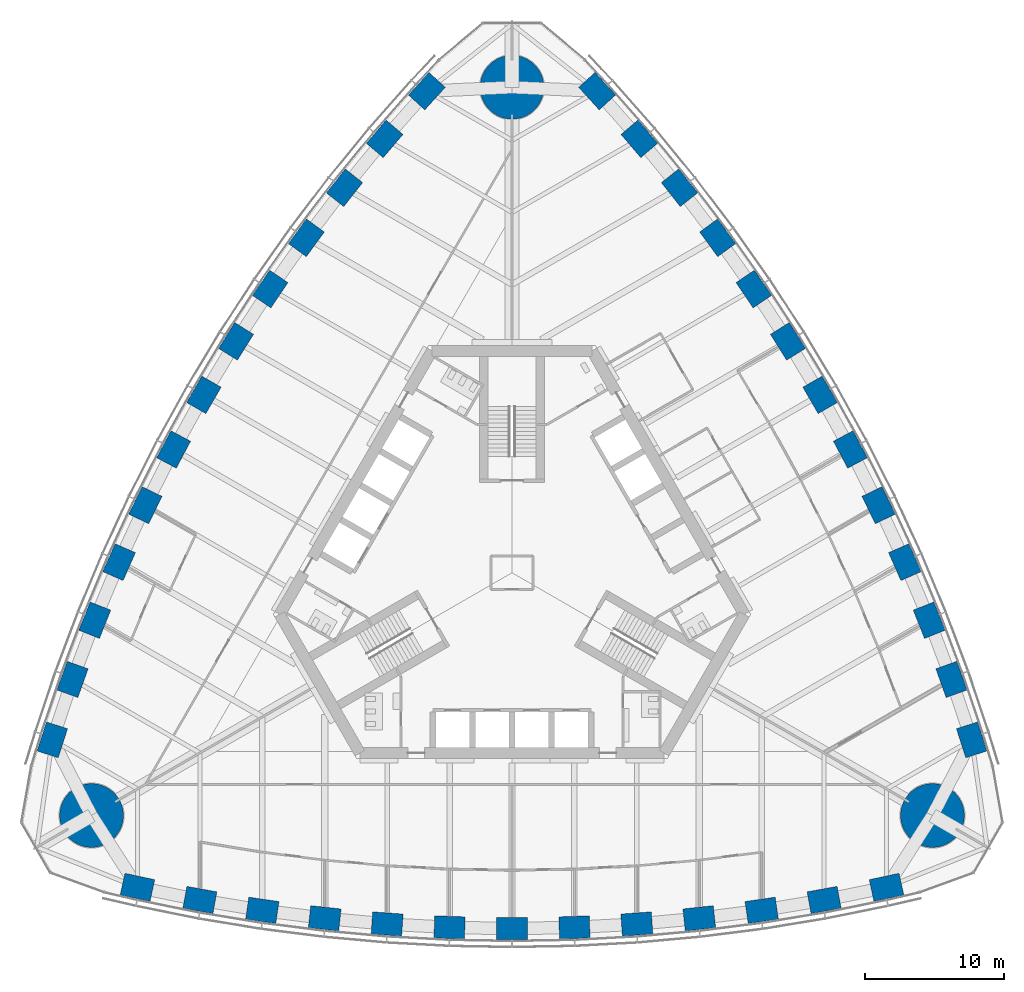
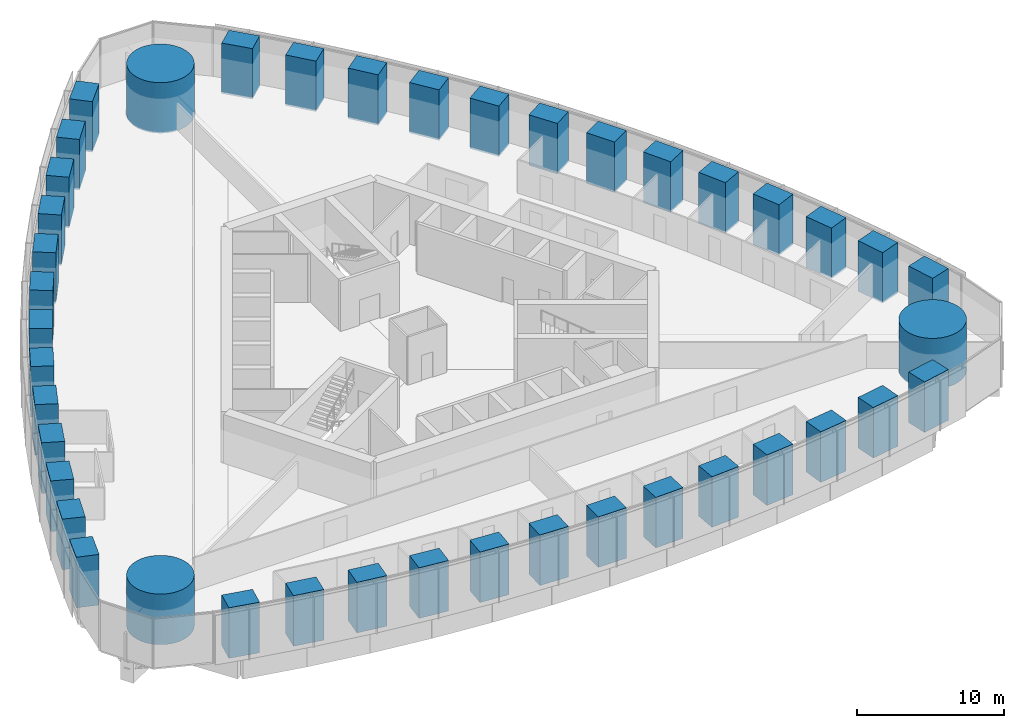
# One storey, part 1 of 18: 42 columns.
"""IFC4 building model written with IfcOpenShell, lengths in metres."""

import ifcopenshell
import ifcopenshell.guid

model = None  # the IFC model being written
_history = None  # IfcOwnerHistory: only IFC2X3 demands one
_inside = {}  # id of a spatial element -> (the spatial element, [elements in it])
_under = {}  # id of a project, library or spatial element -> (it, [spatial elements below it])
_declared = {}  # id of a project -> (the project, [libraries it declares])
_typed = {}  # id of a type object -> (the type object, [elements of that type])
_made_of = {}  # id of a material, layer set ... -> (it, [elements and type objects made of it])


def new_model(schema):
    """Start an empty IFC model of exactly this schema.

    Asked for "IFC4X3", IfcOpenShell would pick the latest addendum, in which some entities
    have other attributes; the version numbers below select the first issue.
    IFC2X3 requires an IfcOwnerHistory on every rooted entity: one is made here for all.
    """
    global model, _history
    if schema == "IFC4X3":
        model = ifcopenshell.file(schema_version=(4, 3, 0, 0))
    else:
        model = ifcopenshell.file(schema=schema)
    _inside.clear()
    _under.clear()
    _declared.clear()
    _typed.clear()
    _made_of.clear()
    _history = None
    if model.schema == "IFC2X3":
        org = make("IfcOrganization", Name="unknown")
        user = make(
            "IfcPersonAndOrganization",
            ThePerson=make("IfcPerson", FamilyName="unknown"),
            TheOrganization=org,
        )
        app = make(
            "IfcApplication",
            ApplicationDeveloper=org,
            Version="unknown",
            ApplicationFullName="unknown",
            ApplicationIdentifier="unknown",
        )
        _history = make(
            "IfcOwnerHistory",
            OwningUser=user,
            OwningApplication=app,
            ChangeAction="ADDED",
            CreationDate=0,
        )
    return model


def make(cls, **values):
    """One entity of the class cls with the attributes given. An attribute that is None is left unset."""
    return model.create_entity(
        cls, **{name: value for name, value in values.items() if value is not None}
    )


def rooted(cls, **values):
    """An entity with a GlobalId (a new one), such as an element, a storey or a relation."""
    return make(cls, GlobalId=ifcopenshell.guid.new(), OwnerHistory=_history, **values)


def si_unit(unit_type, name, prefix=None):
    """IfcSIUnit, for example si_unit("LENGTHUNIT", "METRE", prefix="MILLI")."""
    return make("IfcSIUnit", UnitType=unit_type, Prefix=prefix, Name=name)


def assignment(units):
    """IfcUnitAssignment: the units of a project."""
    return None if units is None else make("IfcUnitAssignment", Units=units)


def point(xyz):
    """IfcCartesianPoint."""
    return None if xyz is None else make("IfcCartesianPoint", Coordinates=xyz)


def direction(xyz):
    """IfcDirection."""
    return None if xyz is None else make("IfcDirection", DirectionRatios=xyz)


def frame(location, z_axis=None, x_axis=None):
    """IfcAxis2Placement3D, a coordinate frame: its origin and axes. An axis left out is left unset."""
    return make(
        "IfcAxis2Placement3D",
        Location=point(location),
        Axis=direction(z_axis),
        RefDirection=direction(x_axis),
    )


def frame_2d(location, x_axis=None):
    """IfcAxis2Placement2D, a coordinate frame in the plane: its origin and x axis."""
    return make(
        "IfcAxis2Placement2D", Location=point(location), RefDirection=direction(x_axis)
    )


def origin():
    """The frame at (0, 0, 0) with its axes left unset."""
    return frame((0.0, 0.0, 0.0))


def origin_2d():
    """The frame at (0, 0) in the plane with its x axis left unset."""
    return frame_2d((0.0, 0.0))


def place(relative_to, where):
    """IfcLocalPlacement: puts the frame where relative to a parent placement (None: the world)."""
    return make(
        "IfcLocalPlacement", PlacementRelTo=relative_to, RelativePlacement=where
    )


def context(
    kind, dimensions, precision=None, world=None, true_north=None, identifier=None
):
    """IfcGeometricRepresentationContext, for example the 3D "Model" context."""
    return make(
        "IfcGeometricRepresentationContext",
        ContextIdentifier=identifier,
        ContextType=kind,
        CoordinateSpaceDimension=dimensions,
        Precision=precision,
        WorldCoordinateSystem=world,
        TrueNorth=true_north,
    )


def subcontext(parent, identifier, kind, view, scale=None):
    """IfcGeometricRepresentationSubContext, for example "Body" below "Model"."""
    return make(
        "IfcGeometricRepresentationSubContext",
        ContextIdentifier=identifier,
        ContextType=kind,
        ParentContext=parent,
        TargetScale=scale,
        TargetView=view,
    )


def project(units=None, contexts=None):
    """IfcProject with its units and contexts."""
    return rooted(
        "IfcProject",
        Name="project",
        RepresentationContexts=contexts,
        UnitsInContext=assignment(units),
    )


def spatial(cls, under=None, at=None, **own):
    """A site, building, storey or space (cls), placed at a placement, below another one or the project."""
    s = rooted(cls, ObjectPlacement=at, **own)
    if under is not None:
        _under.setdefault(under.id(), (under, []))[1].append(s)
    return s


def profile(cls, at=None, kind="AREA", **sizes):
    """A parametric profile (cls). Its sizes go by their IFC names, for example OverallWidth=200.0."""
    return make(cls, ProfileType=kind, Position=at, **sizes)


def rectangle(**sizes):
    """IfcRectangleProfileDef."""
    return profile("IfcRectangleProfileDef", **sizes)


def circle(**sizes):
    """IfcCircleProfileDef."""
    return profile("IfcCircleProfileDef", **sizes)


def extrude(swept, where, along, depth):
    """IfcExtrudedAreaSolid: the profile swept, set in the frame where, extruded along a direction by depth."""
    return make(
        "IfcExtrudedAreaSolid",
        SweptArea=swept,
        Position=where,
        ExtrudedDirection=direction(along),
        Depth=depth,
    )


def shape(context_of_items, identifier, shape_type, items):
    """IfcShapeRepresentation: the items that make up one representation, for example the "Body"."""
    return make(
        "IfcShapeRepresentation",
        ContextOfItems=context_of_items,
        RepresentationIdentifier=identifier,
        RepresentationType=shape_type,
        Items=items,
    )


def material(Name=None, Category=None):
    """IfcMaterial."""
    return make("IfcMaterial", Name=Name, Category=Category)


def material_profile(
    of_material, cross_section, Name=None, Category=None, Priority=None
):
    """IfcMaterialProfile: a cross section and its material."""
    return make(
        "IfcMaterialProfile",
        Name=Name,
        Material=of_material,
        Profile=cross_section,
        Priority=Priority,
        Category=Category,
    )


def profile_set(profiles, Name=None, composite=None):
    """IfcMaterialProfileSet."""
    return make(
        "IfcMaterialProfileSet",
        Name=Name,
        MaterialProfiles=profiles,
        CompositeProfile=composite,
    )


def made_of(thing, what):
    """Note that an element or type object is made of a material, layer set ...; save() writes the relation."""
    if what is not None:
        _made_of.setdefault(what.id(), (what, []))[1].append(thing)
    return thing


def type_object(cls, material=None, **own):
    """A type object (cls), such as IfcWallType, which elements share."""
    return made_of(rooted(cls, **own), material)


def element(
    cls,
    number,
    at=None,
    inside=None,
    cuts=None,
    type_object=None,
    material=None,
    context=None,
    identifier="Body",
    shape_type=None,
    held_by="IfcProductDefinitionShape",
    body=None,
    shapes=None,
    **own,
):
    """One element of the class cls, such as IfcWall. Its Tag is "e" and its number.

    at: its placement. inside: the storey or other place that contains it. cuts: it is an
    opening in that element (IfcRelVoidsElement). A single representation is given by context,
    identifier, shape_type and body (its items); several are given by shapes. held_by: the class
    of the entity that holds the representations. save() writes the other relations.
    """
    e = rooted(cls, Tag="e%d" % number, ObjectPlacement=at, **own)
    if body is not None:
        shapes = [shape(context, identifier, shape_type, body)]
    if shapes is not None:
        e.Representation = make(held_by, Representations=shapes)
    if inside is not None:
        _inside.setdefault(inside.id(), (inside, []))[1].append(e)
    if cuts is not None:
        rooted(
            "IfcRelVoidsElement", RelatingBuildingElement=cuts, RelatedOpeningElement=e
        )
    if type_object is not None:
        _typed.setdefault(type_object.id(), (type_object, []))[1].append(e)
    return made_of(e, material)


def aggregate(whole, parts):
    """IfcRelAggregates: a whole, such as a stair, and the parts it consists of."""
    return rooted("IfcRelAggregates", RelatingObject=whole, RelatedObjects=parts)


def save(model, path):
    """Write the relations noted so far, then the file.

    IfcRelAggregates (storeys below a building ...), IfcRelContainedInSpatialStructure (elements
    in a storey), IfcRelDefinesByType, IfcRelAssociatesMaterial and IfcRelDeclares: one each for
    every whole, place, type object, material and project.
    """
    for whole, parts in _under.values():
        aggregate(whole, parts)
    for where, things in _inside.values():
        rooted(
            "IfcRelContainedInSpatialStructure",
            RelatedElements=things,
            RelatingStructure=where,
        )
    for kind, things in _typed.values():
        rooted("IfcRelDefinesByType", RelatedObjects=things, RelatingType=kind)
    for what, things in _made_of.values():
        rooted("IfcRelAssociatesMaterial", RelatedObjects=things, RelatingMaterial=what)
    for by, libraries in _declared.values():
        rooted("IfcRelDeclares", RelatingContext=by, RelatedDefinitions=libraries)
    model.write(path)


model = new_model("IFC4")

# Units and contexts
model_context = context("Model", 3, precision=1e-05, world=origin(), true_north=direction((0.0, 1.0)))
body_context = subcontext(model_context, "Body", "Model", "MODEL_VIEW")
ifc_project = project(units=[si_unit("LENGTHUNIT", "METRE"), si_unit("AREAUNIT", "SQUARE_METRE"), si_unit("VOLUMEUNIT", "CUBIC_METRE"), si_unit("PLANEANGLEUNIT", "RADIAN"), si_unit("MASSUNIT", "GRAM", prefix="KILO")], contexts=[model_context])

# Site, building, storey
site_placement = place(None, origin())
site = spatial("IfcSite", under=ifc_project, at=site_placement, CompositionType="ELEMENT")
building_placement = place(site_placement, origin())
building = spatial("IfcBuilding", under=site, at=building_placement, Name="Trefoil Bronze Tower", CompositionType="ELEMENT")
storey_placement = place(building_placement, frame((0.0, 0.0, 111.5)))
storey = spatial("IfcBuildingStorey", under=building, at=storey_placement, Name="L25", CompositionType="ELEMENT", Elevation=111.5)

# Columns
ifc_material_1 = material(Name="Concrete B80", Category="concrete")
ifc_material_profile_1 = material_profile(ifc_material_1, circle(Radius=2.300048828125, at=origin_2d()), Name="RC D4600")
ifc_profile_set_1 = profile_set([ifc_material_profile_1], Name="Concrete B80")
column_type_1 = type_object("IfcColumnType", Name="Mega column RC D4600", PredefinedType="COLUMN", material=ifc_profile_set_1)
for number, where, z_axis, x_axis, name in (
    (1, (30.310791015625, -17.5, 0.0), (0.0, 0.0, 1.0), (1.0, 0.0, 0.0), "Mega column K1 L25"),
    (2, (0.0, 35.0, 0.0), (0.0, 0.0, 1.0), (1.0, 0.0, 0.0), "Mega column K2 L25"),
    (3, (-30.310791015625, -17.5, 0.0), (0.0, 0.0, 1.0), (1.0, 0.0, 0.0), "Mega column K3 L25"),
):
    element("IfcColumn", number, at=place(storey_placement, frame(where, z_axis=z_axis, x_axis=x_axis)), inside=storey, type_object=column_type_1, Name=name, PredefinedType="COLUMN", context=body_context, shape_type="SweptSolid", body=[
        extrude(circle(Radius=2.300048828125, at=origin_2d()), origin(), (0.0, 0.0, 1.0), 4.199951171875),
    ])
ifc_material_2 = material(Name="Concrete B80", Category="concrete")
ifc_material_profile_2 = material_profile(ifc_material_2, rectangle(XDim=2.199951171875, YDim=1.60009765625, at=origin_2d()), Name="RC 2200x1600")
ifc_profile_set_2 = profile_set([ifc_material_profile_2], Name="Concrete B80")
column_type_2 = type_object("IfcColumnType", Name="Tube column RC 2200x1600", PredefinedType="COLUMN", material=ifc_profile_set_2)
for number, where, z_axis, x_axis, name in (
    (4, (-27.0, -22.67724609375, 0.0), (0.0, 0.0, 1.0), (0.977276081214, -0.21197042503, 0.0), "Tube column F1/-6 L25"),
    (5, (-22.5, -23.592529296875, 0.0), (0.0, 0.0, 1.0), (0.98362250613, -0.180240853954, 0.0), "Tube column F1/-5 L25"),
    (6, (-18.0, -24.337158203125, 0.0), (0.0, 0.0, 1.0), (0.989549714366, -0.144192103798, 0.0), "Tube column F1/-4 L25"),
    (7, (-13.5, -24.9130859375, 0.0), (0.0, 0.0, 1.0), (0.994135267447, -0.108143747013, 0.0), "Tube column F1/-3 L25"),
    (8, (-9.0, -25.32275390625, 0.0), (0.0, 0.0, 1.0), (0.997397720802, -0.072095676284, 0.0), "Tube column F1/-2 L25"),
    (9, (-4.5, -25.568115234375, 0.0), (0.0, 0.0, 1.0), (0.999350067136, -0.036047792107, 0.0), "Tube column F1/-1 L25"),
    (10, (0.0, -25.649658203125, 0.0), (0.0, 0.0, 1.0), (1.0, 0.0, 0.0), "Tube column F1/+0 L25"),
    (11, (4.5, -25.568115234375, 0.0), (0.0, 0.0, 1.0), (0.999350067136, 0.036047792107, 0.0), "Tube column F1/+1 L25"),
    (12, (9.0, -25.32275390625, 0.0), (0.0, 0.0, 1.0), (0.997397720802, 0.072095676284, 0.0), "Tube column F1/+2 L25"),
    (13, (13.5, -24.9130859375, 0.0), (0.0, 0.0, 1.0), (0.994135267447, 0.108143747013, 0.0), "Tube column F1/+3 L25"),
    (14, (18.0, -24.337158203125, 0.0), (0.0, 0.0, 1.0), (0.989549714366, 0.144192103798, 0.0), "Tube column F1/+4 L25"),
    (15, (22.5, -23.592529296875, 0.0), (0.0, 0.0, 1.0), (0.98362250613, 0.180240853954, 0.0), "Tube column F1/+5 L25"),
    (16, (27.0, -22.67724609375, 0.0), (0.0, 0.0, 1.0), (0.977276081214, 0.21197042503, 0.0), "Tube column F1/+6 L25"),
    (17, (33.13916015625, -12.044189453125, 0.0), (0.0, 0.0, 1.0), (-0.30506626768, 0.952331125357, 0.0), "Tube column F2/-6 L25"),
    (18, (31.681884765625, -7.689208984375, 0.0), (0.0, 0.0, 1.0), (-0.335718094742, 0.94196250502, 0.0), "Tube column F2/-5 L25"),
    (19, (30.07666015625, -3.419921875, 0.0), (0.0, 0.0, 1.0), (-0.369900832269, 0.929071242848, 0.0), "Tube column F2/-4 L25"),
    (20, (28.325439453125, 0.76513671875, 0.0), (0.0, 0.0, 1.0), (-0.40341240155, 0.915018269914, 0.0), "Tube column F2/-3 L25"),
    (21, (26.43017578125, 4.8671875, 0.0), (0.0, 0.0, 1.0), (-0.436262173236, 0.899819602033, 0.0), "Tube column F2/-2 L25"),
    (22, (24.392578125, 8.886962890625, 0.0), (0.0, 0.0, 1.0), (-0.468456729853, 0.883486441467, 0.0), "Tube column F2/-1 L25"),
    (23, (22.21337890625, 12.824951171875, 0.0), (0.0, 0.0, 1.0), (-0.5, 0.866025403784, 0.0), "Tube column F2/+0 L25"),
    (24, (19.892578125, 16.68115234375, 0.0), (0.0, 0.0, 1.0), (-0.530893337283, 0.84743864936, 0.0), "Tube column F2/+1 L25"),
    (25, (17.43017578125, 20.45556640625, 0.0), (0.0, 0.0, 1.0), (-0.561135547566, 0.827723925749, 0.0), "Tube column F2/+2 L25"),
    (26, (14.825439453125, 24.14794921875, 0.0), (0.0, 0.0, 1.0), (-0.590722865897, 0.806874522901, 0.0), "Tube column F2/+3 L25"),
    (27, (12.07666015625, 27.757080078125, 0.0), (0.0, 0.0, 1.0), (-0.619648882098, 0.78487913905, 0.0), "Tube column F2/+4 L25"),
    (28, (9.181884765625, 31.281982421875, 0.0), (0.0, 0.0, 1.0), (-0.647904411389, 0.761721651066, 0.0), "Tube column F2/+5 L25"),
    (29, (6.13916015625, 34.72119140625, 0.0), (0.0, 0.0, 1.0), (-0.672209813534, 0.740360700327, 0.0), "Tube column F2/+6 L25"),
    (30, (-6.13916015625, 34.72119140625, 0.0), (0.0, 0.0, 1.0), (-0.672209813534, -0.740360700327, 0.0), "Tube column F3/-6 L25"),
    (31, (-9.181884765625, 31.281982421875, 0.0), (0.0, 0.0, 1.0), (-0.647904411389, -0.761721651066, 0.0), "Tube column F3/-5 L25"),
    (32, (-12.07666015625, 27.757080078125, 0.0), (0.0, 0.0, 1.0), (-0.619648882098, -0.78487913905, 0.0), "Tube column F3/-4 L25"),
    (33, (-14.825439453125, 24.14794921875, 0.0), (0.0, 0.0, 1.0), (-0.590722865897, -0.806874522901, 0.0), "Tube column F3/-3 L25"),
    (34, (-17.43017578125, 20.45556640625, 0.0), (0.0, 0.0, 1.0), (-0.561135547566, -0.827723925749, 0.0), "Tube column F3/-2 L25"),
    (35, (-19.892578125, 16.68115234375, 0.0), (0.0, 0.0, 1.0), (-0.530893337283, -0.84743864936, 0.0), "Tube column F3/-1 L25"),
    (36, (-22.21337890625, 12.824951171875, 0.0), (0.0, 0.0, 1.0), (-0.5, -0.866025403784, 0.0), "Tube column F3/+0 L25"),
    (37, (-24.392578125, 8.886962890625, 0.0), (0.0, 0.0, 1.0), (-0.468456729853, -0.883486441467, 0.0), "Tube column F3/+1 L25"),
    (38, (-26.43017578125, 4.8671875, 0.0), (0.0, 0.0, 1.0), (-0.436262173236, -0.899819602033, 0.0), "Tube column F3/+2 L25"),
    (39, (-28.325439453125, 0.76513671875, 0.0), (0.0, 0.0, 1.0), (-0.40341240155, -0.915018269914, 0.0), "Tube column F3/+3 L25"),
    (40, (-30.07666015625, -3.419921875, 0.0), (0.0, 0.0, 1.0), (-0.369900832269, -0.929071242848, 0.0), "Tube column F3/+4 L25"),
    (41, (-31.681884765625, -7.689208984375, 0.0), (0.0, 0.0, 1.0), (-0.335718094742, -0.94196250502, 0.0), "Tube column F3/+5 L25"),
    (42, (-33.13916015625, -12.044189453125, 0.0), (0.0, 0.0, 1.0), (-0.30506626768, -0.952331125357, 0.0), "Tube column F3/+6 L25"),
):
    element("IfcColumn", number, at=place(storey_placement, frame(where, z_axis=z_axis, x_axis=x_axis)), inside=storey, type_object=column_type_2, Name=name, PredefinedType="COLUMN", context=body_context, shape_type="SweptSolid", body=[
        extrude(rectangle(XDim=2.199951171875, YDim=1.60009765625, at=origin_2d()), origin(), (0.0, 0.0, 1.0), 4.199951171875),
    ])

save(model, "model.ifc")
